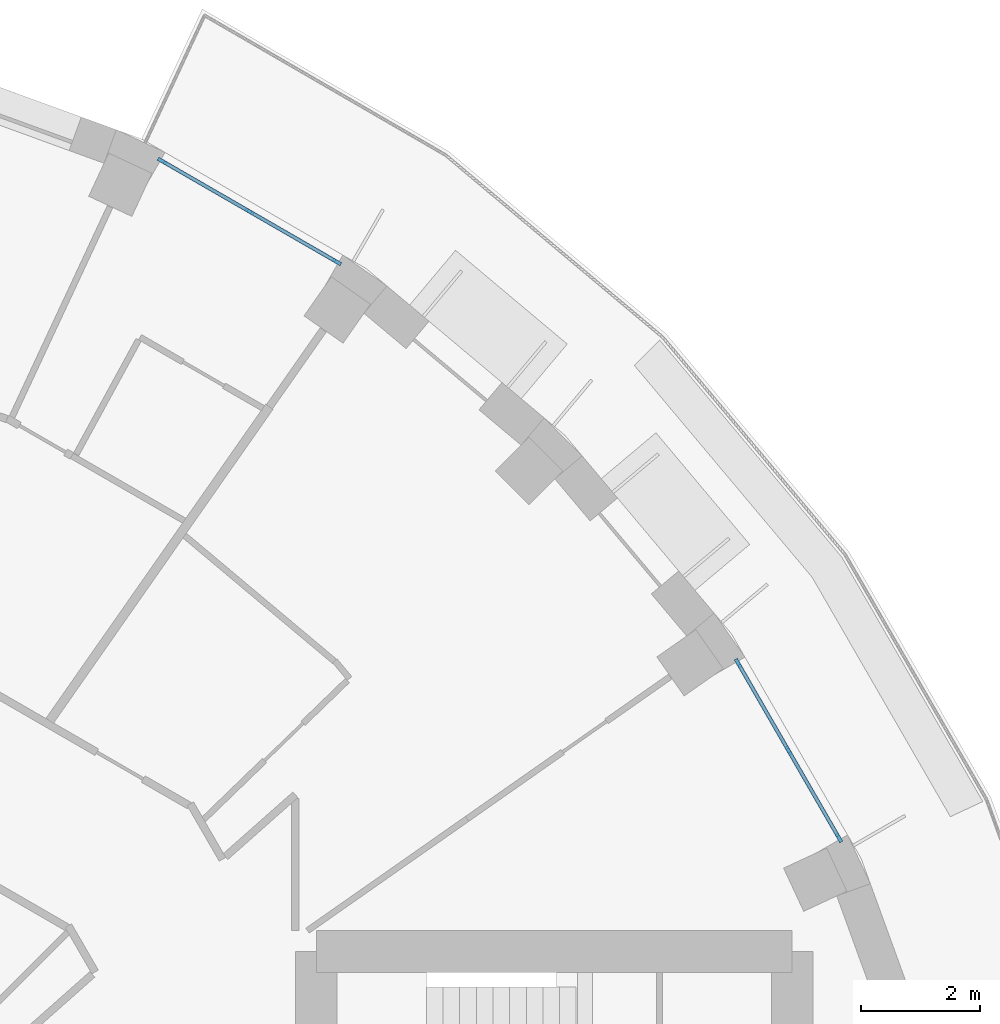
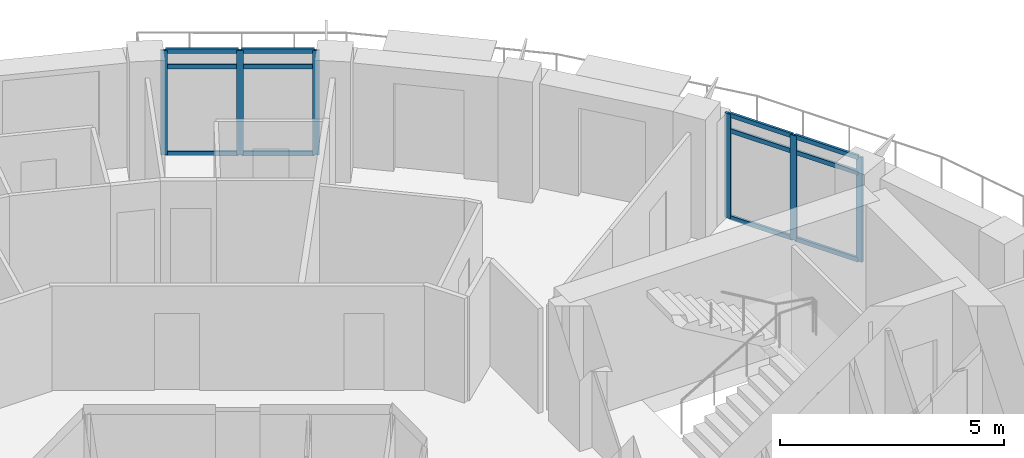
# One storey, part 2 of 15: 18 members, 2 elements without a shape of their own.
"""IFC4 building model written with IfcOpenShell, lengths in metres."""

from ifc_helpers import new_model, si_unit, direction, frame, origin, origin_2d, place, context, subcontext, project, spatial, rectangle, extrude, material, layer, layer_set, material_profile, profile_set, type_object, element, aggregate, save


model = new_model("IFC4")

# Units and contexts
model_context = context("Model", 3, precision=1e-05, world=origin(), true_north=direction((0.0, 1.0)))
body_context = subcontext(model_context, "Body", "Model", "MODEL_VIEW")
ifc_project = project(units=[si_unit("LENGTHUNIT", "METRE"), si_unit("AREAUNIT", "SQUARE_METRE"), si_unit("VOLUMEUNIT", "CUBIC_METRE"), si_unit("PLANEANGLEUNIT", "RADIAN"), si_unit("MASSUNIT", "GRAM", prefix="KILO")], contexts=[model_context])

# Site, building, storey
site_placement = place(None, origin())
site = spatial("IfcSite", under=ifc_project, at=site_placement, CompositionType="ELEMENT")
building_placement = place(site_placement, origin())
building = spatial("IfcBuilding", under=site, at=building_placement, Name="Saqina Gate Tower", CompositionType="ELEMENT")
storey_placement = place(building_placement, frame((0.0, 0.0, 193.800048828125)))
storey = spatial("IfcBuildingStorey", under=building, at=storey_placement, Name="L55", CompositionType="ELEMENT", Elevation=193.800048828125)

# Curtain wall, members
ifc_material_1 = material(Name="Aluminium glazing", Category="aluminium")
ifc_layer = layer(ifc_material_1, 0.159912109375)
ifc_layer_set = layer_set([ifc_layer], Name="CWT-4")
curtain_wall_type = type_object("IfcCurtainWallType", Name="CWT-4", PredefinedType="NOTDEFINED", material=ifc_layer_set)
curtain_wall_1_placement = place(storey_placement, origin())
curtain_wall_1 = element("IfcCurtainWall", 1, at=curtain_wall_1_placement, inside=storey, type_object=curtain_wall_type, Name="Terrace lounge glazing facet 3", PredefinedType="NOTDEFINED")
ifc_material_2 = material(Name="Aluminium", Category="aluminium")
ifc_material_profile_1 = material_profile(ifc_material_2, rectangle(XDim=0.06005859375, YDim=0.159912109375, at=origin_2d()), Name="Aluminium 60x160")
ifc_profile_set_1 = profile_set([ifc_material_profile_1], Name="Aluminium")
member_type_1 = type_object("IfcMemberType", Name="CWT-4M", PredefinedType="MULLION", material=ifc_profile_set_1)
member_1_placement = place(storey_placement, frame((22.285888671875, 10.90966796875, 0.0), z_axis=(0.0, 0.0, 1.0), x_axis=(-0.866017110341, -0.500014364391, 0.0)))
member_1 = element("IfcMember", 2, at=member_1_placement, type_object=member_type_1, Name="CW4-03 mullion 1", PredefinedType="MULLION", context=body_context, shape_type="SweptSolid", body=[
    extrude(rectangle(XDim=0.06005859375, YDim=0.159912109375, at=origin_2d()), origin(), (0.0, 0.0, 1.0), 2.849853515625),
])
member_2_placement = place(storey_placement, frame((21.438232421875, 12.37744140625, 0.0), z_axis=(0.0, 0.0, 1.0), x_axis=(-0.866017110341, -0.500014364391, 0.0)))
member_2 = element("IfcMember", 3, at=member_2_placement, type_object=member_type_1, Name="CW4-03 mullion 2", PredefinedType="MULLION", context=body_context, shape_type="SweptSolid", body=[
    extrude(rectangle(XDim=0.06005859375, YDim=0.159912109375, at=origin_2d()), origin(), (0.0, 0.0, 1.0), 2.849853515625),
])
member_3_placement = place(storey_placement, frame((20.5908203125, 13.84521484375, 0.0), z_axis=(0.0, 0.0, 1.0), x_axis=(-0.866017110341, -0.500014364391, 0.0)))
member_3 = element("IfcMember", 4, at=member_3_placement, type_object=member_type_1, Name="CW4-03 mullion 3", PredefinedType="MULLION", context=body_context, shape_type="SweptSolid", body=[
    extrude(rectangle(XDim=0.06005859375, YDim=0.159912109375, at=origin_2d()), origin(), (0.0, 0.0, 1.0), 2.849853515625),
])

curtain_wall_2_placement = place(storey_placement, origin())
curtain_wall_2 = element("IfcCurtainWall", 5, at=curtain_wall_2_placement, inside=storey, type_object=curtain_wall_type, Name="Terrace lounge glazing facet 6", PredefinedType="NOTDEFINED")
member_4_placement = place(storey_placement, frame((13.84521484375, 20.5908203125, 0.0), z_axis=(0.0, 0.0, 1.0), x_axis=(-0.500014364391, -0.866017110341, 0.0)))
member_4 = element("IfcMember", 6, at=member_4_placement, type_object=member_type_1, Name="CW4-06 mullion 1", PredefinedType="MULLION", context=body_context, shape_type="SweptSolid", body=[
    extrude(rectangle(XDim=0.06005859375, YDim=0.159912109375, at=origin_2d()), origin(), (0.0, 0.0, 1.0), 2.849853515625),
])
member_5_placement = place(storey_placement, frame((12.37744140625, 21.438232421875, 0.0), z_axis=(0.0, 0.0, 1.0), x_axis=(-0.500014364391, -0.866017110341, 0.0)))
member_5 = element("IfcMember", 7, at=member_5_placement, type_object=member_type_1, Name="CW4-06 mullion 2", PredefinedType="MULLION", context=body_context, shape_type="SweptSolid", body=[
    extrude(rectangle(XDim=0.06005859375, YDim=0.159912109375, at=origin_2d()), origin(), (0.0, 0.0, 1.0), 2.849853515625),
])
member_6_placement = place(storey_placement, frame((10.90966796875, 22.285888671875, 0.0), z_axis=(0.0, 0.0, 1.0), x_axis=(-0.500014364391, -0.866017110341, 0.0)))
member_6 = element("IfcMember", 8, at=member_6_placement, type_object=member_type_1, Name="CW4-06 mullion 3", PredefinedType="MULLION", context=body_context, shape_type="SweptSolid", body=[
    extrude(rectangle(XDim=0.06005859375, YDim=0.159912109375, at=origin_2d()), origin(), (0.0, 0.0, 1.0), 2.849853515625),
])

# Member
ifc_material_3 = material(Name="Aluminium", Category="aluminium")
ifc_material_profile_2 = material_profile(ifc_material_3, rectangle(XDim=0.06005859375, YDim=0.1201171875, at=origin_2d()), Name="Aluminium 60x120")
ifc_profile_set_2 = profile_set([ifc_material_profile_2], Name="Aluminium")
member_type_2 = type_object("IfcMemberType", Name="CWT-4T", PredefinedType="USERDEFINED", material=ifc_profile_set_2)
member_7_placement = place(storey_placement, frame((22.270751953125, 10.935546875, 0.030029296875), z_axis=(-0.499929268946, 0.866066236526, 0.0), x_axis=(-0.866066236526, -0.499929268946, 0.0)))
member_7 = element("IfcMember", 9, at=member_7_placement, type_object=member_type_2, Name="CW4-03 transom 1.1", ObjectType="TRANSOM", PredefinedType="USERDEFINED", context=body_context, shape_type="SweptSolid", body=[
    extrude(rectangle(XDim=0.06005859375, YDim=0.1201171875, at=origin_2d()), origin(), (0.0, 0.0, 1.0), 1.635009765625),
])

member_8_placement = place(storey_placement, frame((22.270751953125, 10.935546875, 2.39990234375), z_axis=(-0.499929268946, 0.866066236526, 0.0), x_axis=(-0.866066236526, -0.499929268946, 0.0)))
member_8 = element("IfcMember", 10, at=member_8_placement, type_object=member_type_2, Name="CW4-03 transom 1.2", ObjectType="TRANSOM", PredefinedType="USERDEFINED", context=body_context, shape_type="SweptSolid", body=[
    extrude(rectangle(XDim=0.06005859375, YDim=0.1201171875, at=origin_2d()), origin(), (0.0, 0.0, 1.0), 1.635009765625),
])

member_9_placement = place(storey_placement, frame((22.270751953125, 10.935546875, 2.820068359375), z_axis=(-0.499929268946, 0.866066236526, 0.0), x_axis=(-0.866066236526, -0.499929268946, 0.0)))
member_9 = element("IfcMember", 11, at=member_9_placement, type_object=member_type_2, Name="CW4-03 transom 1.3", ObjectType="TRANSOM", PredefinedType="USERDEFINED", context=body_context, shape_type="SweptSolid", body=[
    extrude(rectangle(XDim=0.06005859375, YDim=0.1201171875, at=origin_2d()), origin(), (0.0, 0.0, 1.0), 1.635009765625),
])

member_10_placement = place(storey_placement, frame((21.42333984375, 12.4033203125, 0.030029296875), z_axis=(-0.499929268946, 0.866066236526, 0.0), x_axis=(-0.866066236526, -0.499929268946, 0.0)))
member_10 = element("IfcMember", 12, at=member_10_placement, type_object=member_type_2, Name="CW4-03 transom 2.1", ObjectType="TRANSOM", PredefinedType="USERDEFINED", context=body_context, shape_type="SweptSolid", body=[
    extrude(rectangle(XDim=0.06005859375, YDim=0.1201171875, at=origin_2d()), origin(), (0.0, 0.0, 1.0), 1.635009765625),
])

member_11_placement = place(storey_placement, frame((21.42333984375, 12.4033203125, 2.39990234375), z_axis=(-0.499929268946, 0.866066236526, 0.0), x_axis=(-0.866066236526, -0.499929268946, 0.0)))
member_11 = element("IfcMember", 13, at=member_11_placement, type_object=member_type_2, Name="CW4-03 transom 2.2", ObjectType="TRANSOM", PredefinedType="USERDEFINED", context=body_context, shape_type="SweptSolid", body=[
    extrude(rectangle(XDim=0.06005859375, YDim=0.1201171875, at=origin_2d()), origin(), (0.0, 0.0, 1.0), 1.635009765625),
])

member_12_placement = place(storey_placement, frame((21.42333984375, 12.4033203125, 2.820068359375), z_axis=(-0.499929268946, 0.866066236526, 0.0), x_axis=(-0.866066236526, -0.499929268946, 0.0)))
member_12 = element("IfcMember", 14, at=member_12_placement, type_object=member_type_2, Name="CW4-03 transom 2.3", ObjectType="TRANSOM", PredefinedType="USERDEFINED", context=body_context, shape_type="SweptSolid", body=[
    extrude(rectangle(XDim=0.06005859375, YDim=0.1201171875, at=origin_2d()), origin(), (0.0, 0.0, 1.0), 1.635009765625),
])

aggregate(curtain_wall_1, [member_1, member_2, member_3, member_7, member_8, member_9, member_10, member_11, member_12])

member_13_placement = place(storey_placement, frame((13.8193359375, 20.60595703125, 0.030029296875), z_axis=(-0.866066236526, 0.499929268946, 0.0), x_axis=(-0.499929268946, -0.866066236526, 0.0)))
member_13 = element("IfcMember", 15, at=member_13_placement, type_object=member_type_2, Name="CW4-06 transom 1.1", ObjectType="TRANSOM", PredefinedType="USERDEFINED", context=body_context, shape_type="SweptSolid", body=[
    extrude(rectangle(XDim=0.06005859375, YDim=0.1201171875, at=origin_2d()), origin(), (0.0, 0.0, 1.0), 1.635009765625),
])

member_14_placement = place(storey_placement, frame((13.8193359375, 20.60595703125, 2.39990234375), z_axis=(-0.866066236526, 0.499929268946, 0.0), x_axis=(-0.499929268946, -0.866066236526, 0.0)))
member_14 = element("IfcMember", 16, at=member_14_placement, type_object=member_type_2, Name="CW4-06 transom 1.2", ObjectType="TRANSOM", PredefinedType="USERDEFINED", context=body_context, shape_type="SweptSolid", body=[
    extrude(rectangle(XDim=0.06005859375, YDim=0.1201171875, at=origin_2d()), origin(), (0.0, 0.0, 1.0), 1.635009765625),
])

member_15_placement = place(storey_placement, frame((13.8193359375, 20.60595703125, 2.820068359375), z_axis=(-0.866066236526, 0.499929268946, 0.0), x_axis=(-0.499929268946, -0.866066236526, 0.0)))
member_15 = element("IfcMember", 17, at=member_15_placement, type_object=member_type_2, Name="CW4-06 transom 1.3", ObjectType="TRANSOM", PredefinedType="USERDEFINED", context=body_context, shape_type="SweptSolid", body=[
    extrude(rectangle(XDim=0.06005859375, YDim=0.1201171875, at=origin_2d()), origin(), (0.0, 0.0, 1.0), 1.635009765625),
])

member_16_placement = place(storey_placement, frame((12.3515625, 21.453369140625, 0.030029296875), z_axis=(-0.866066236526, 0.499929268946, 0.0), x_axis=(-0.499929268946, -0.866066236526, 0.0)))
member_16 = element("IfcMember", 18, at=member_16_placement, type_object=member_type_2, Name="CW4-06 transom 2.1", ObjectType="TRANSOM", PredefinedType="USERDEFINED", context=body_context, shape_type="SweptSolid", body=[
    extrude(rectangle(XDim=0.06005859375, YDim=0.1201171875, at=origin_2d()), origin(), (0.0, 0.0, 1.0), 1.635009765625),
])

member_17_placement = place(storey_placement, frame((12.3515625, 21.453369140625, 2.39990234375), z_axis=(-0.866066236526, 0.499929268946, 0.0), x_axis=(-0.499929268946, -0.866066236526, 0.0)))
member_17 = element("IfcMember", 19, at=member_17_placement, type_object=member_type_2, Name="CW4-06 transom 2.2", ObjectType="TRANSOM", PredefinedType="USERDEFINED", context=body_context, shape_type="SweptSolid", body=[
    extrude(rectangle(XDim=0.06005859375, YDim=0.1201171875, at=origin_2d()), origin(), (0.0, 0.0, 1.0), 1.635009765625),
])

member_18_placement = place(storey_placement, frame((12.3515625, 21.453369140625, 2.820068359375), z_axis=(-0.866066236526, 0.499929268946, 0.0), x_axis=(-0.499929268946, -0.866066236526, 0.0)))
member_18 = element("IfcMember", 20, at=member_18_placement, type_object=member_type_2, Name="CW4-06 transom 2.3", ObjectType="TRANSOM", PredefinedType="USERDEFINED", context=body_context, shape_type="SweptSolid", body=[
    extrude(rectangle(XDim=0.06005859375, YDim=0.1201171875, at=origin_2d()), origin(), (0.0, 0.0, 1.0), 1.635009765625),
])

aggregate(curtain_wall_2, [member_4, member_5, member_6, member_13, member_14, member_15, member_16, member_17, member_18])

save(model, "model.ifc")
